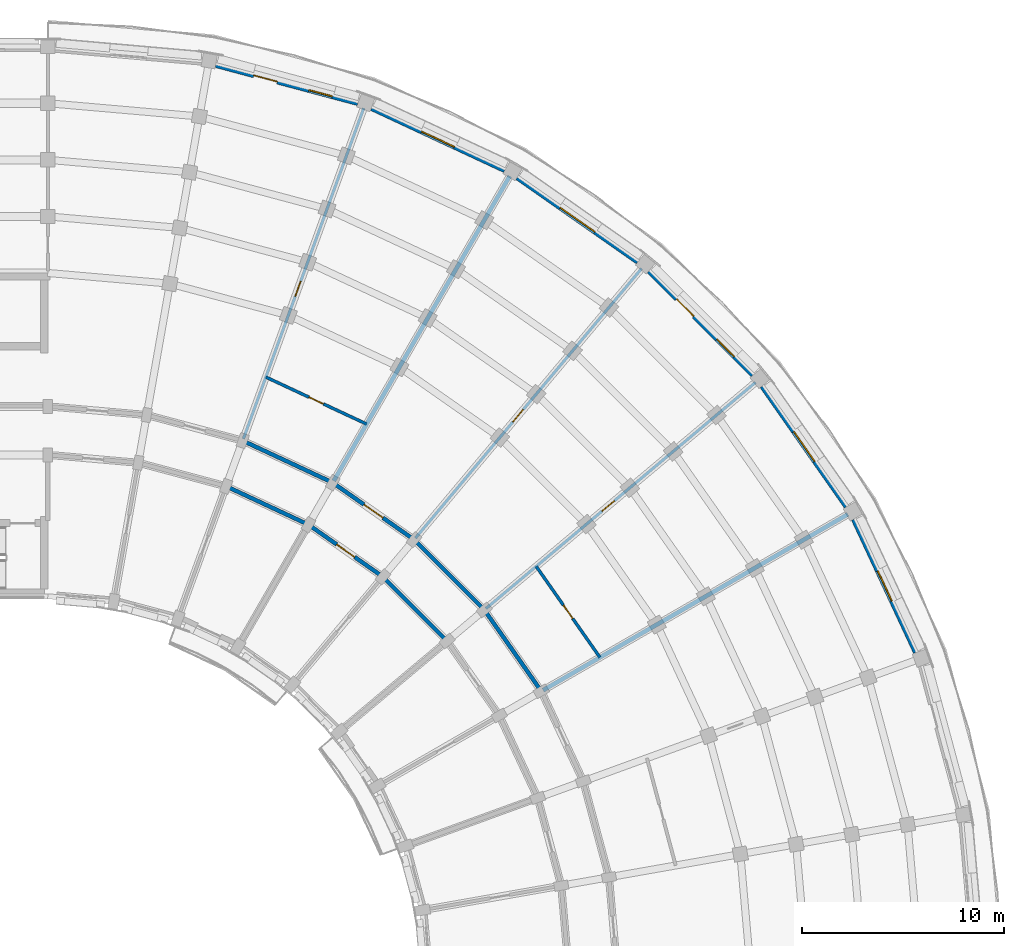
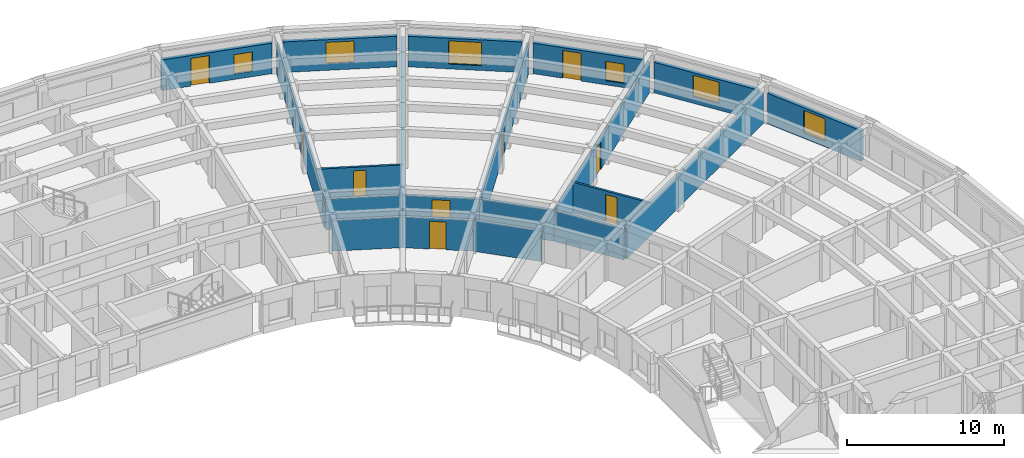
# One storey, part 37 of 57: 20 walls, 9 doors, 6 windows, 15 openings.
"""IFC4 building model written with IfcOpenShell, lengths in metres."""

from ifc_helpers import new_model, si_unit, direction, frame, frame_2d, origin, place, context, subcontext, project, spatial, rectangle, extrude, material, layer, layer_set, type_object, element, fill, save


model = new_model("IFC4")

# Units and contexts
model_context = context("Model", 3, precision=1e-05, world=origin(), true_north=direction((0.0, 1.0)))
body_context = subcontext(model_context, "Body", "Model", "MODEL_VIEW")
ifc_project = project(units=[si_unit("LENGTHUNIT", "METRE"), si_unit("AREAUNIT", "SQUARE_METRE"), si_unit("VOLUMEUNIT", "CUBIC_METRE"), si_unit("PLANEANGLEUNIT", "RADIAN"), si_unit("MASSUNIT", "GRAM", prefix="KILO")], contexts=[model_context])

# Site, building, storey
site_placement = place(None, origin())
site = spatial("IfcSite", under=ifc_project, at=site_placement, CompositionType="ELEMENT")
building_placement = place(site_placement, origin())
building = spatial("IfcBuilding", under=site, at=building_placement, Name="Kiranvali Square Residences", CompositionType="ELEMENT")
storey_placement = place(building_placement, frame((0.0, 0.0, 24.449951171875)))
storey = spatial("IfcBuildingStorey", under=building, at=storey_placement, Name="L07", CompositionType="ELEMENT", Elevation=24.449951171875)

# Walls
ifc_material_1 = material(Name="Autoclaved aerated concrete blockwork masonry", Category="masonry")
ifc_layer_1 = layer(ifc_material_1, 0.199951171875)
ifc_layer_set_1 = layer_set([ifc_layer_1], Name="Autoclaved aerated concrete blockwork masonry")
wall_type_1 = type_object("IfcWallType", Name="WL-COR-200", PredefinedType="STANDARD", material=ifc_layer_set_1)
wall_1_placement = place(storey_placement, frame((128.6240234375, 112.044189453125, 0.0), z_axis=(0.0, 0.0, 1.0), x_axis=(0.906307919131, -0.422617978463, 0.0)))
element("IfcWall", 1, at=wall_1_placement, inside=storey, type_object=wall_type_1, Name="L07 architectural wall WL-L07-B-CCI-2", PredefinedType="STANDARD", context=body_context, shape_type="SweptSolid", body=[
    extrude(rectangle(XDim=4.497314453125, YDim=0.199951171875, at=frame_2d((2.24853515625, 0.0))), origin(), (0.0, 0.0, 1.0), 2.3720703125),
])
wall_2_placement = place(storey_placement, frame((129.445068359375, 114.29931640625, 0.0), z_axis=(0.0, 0.0, 1.0), x_axis=(0.906302381024, -0.422629854778, 0.0)))
element("IfcWall", 2, at=wall_2_placement, inside=storey, type_object=wall_type_1, Name="L07 architectural wall WL-L07-B-CCO-2", PredefinedType="STANDARD", context=body_context, shape_type="SweptSolid", body=[
    extrude(rectangle(XDim=4.915283203125, YDim=0.199951171875, at=frame_2d((2.45751953125, 0.0))), origin(), (0.0, 0.0, 1.0), 2.3720703125),
])

# Wall, opening, door
wall_3_placement = place(storey_placement, frame((132.699951171875, 110.1435546875, 0.0), z_axis=(0.0, 0.0, 1.0), x_axis=(0.819155404658, -0.573571637217, 0.0)))
wall_3 = element("IfcWall", 3, at=wall_3_placement, inside=storey, type_object=wall_type_1, Name="L07 architectural wall WL-L07-B-CCI-3", PredefinedType="STANDARD", context=body_context, shape_type="SweptSolid", body=[
    extrude(rectangle(XDim=4.497314453125, YDim=0.199951171875, at=frame_2d((2.24853515625, 0.0))), origin(), (0.0, 0.0, 1.0), 2.3720703125),
])
opening_1_placement = place(wall_3_placement, frame((1.708740234375, 0.0, 0.0)))
opening_1 = element("IfcOpeningElement", 4, at=opening_1_placement, cuts=wall_3, Name="Opening FD-APT-60C", PredefinedType="OPENING", context=body_context, shape_type="SweptSolid", body=[
    extrude(rectangle(XDim=1.080078125, YDim=2.14990234375, at=frame_2d((0.5400390625, 1.074951171875))), frame((0.0, 0.10986328125, 0.0), z_axis=(0.0, -1.0, 0.0), x_axis=(1.0, 0.0, 0.0)), (0.0, 0.0, 1.0), 0.219970703125),
])
ifc_material_2 = material(Name="Fire-rated acoustic hardwood and mineral-core door assembly", Category="wood")
door_type_1 = type_object("IfcDoorType", Name="DR-APT-1080", OperationType="NOTDEFINED", PredefinedType="DOOR", material=ifc_material_2)
door_1_placement = place(opening_1_placement, frame((1.080078125, 0.0, 0.0), z_axis=(0.0, 0.0, 1.0), x_axis=(-1.0, 0.0, 0.0)))
door_1 = element("IfcDoor", 5, at=door_1_placement, inside=storey, type_object=door_type_1, Name="L07 door DR-L07-1432 (DR-APT-1080)", OperationType="SINGLE_SWING_RIGHT", OverallHeight=2.14990234375, OverallWidth=1.080078125, PredefinedType="DOOR", context=body_context, shape_type="SweptSolid", body=[
    extrude(rectangle(XDim=1.080078125, YDim=2.14990234375, at=frame_2d((0.5400390625, 1.074951171875))), frame((0.0, 0.02490234375, 0.0), z_axis=(0.0, -1.0, 0.0), x_axis=(1.0, 0.0, 0.0)), (0.0, 0.0, 1.0), 0.050048828125),
])
fill(opening_1, door_1)

wall_4_placement = place(storey_placement, frame((133.89990234375, 112.221923828125, 0.0), z_axis=(0.0, 0.0, 1.0), x_axis=(0.819140911474, -0.573592335331, 0.0)))
wall_4 = element("IfcWall", 6, at=wall_4_placement, inside=storey, type_object=wall_type_1, Name="L07 architectural wall WL-L07-B-CCO-3", PredefinedType="STANDARD", context=body_context, shape_type="SweptSolid", body=[
    extrude(rectangle(XDim=4.915771484375, YDim=0.199951171875, at=frame_2d((2.4580078125, 0.0))), origin(), (0.0, 0.0, 1.0), 2.3720703125),
])
opening_2_placement = place(wall_4_placement, frame((1.8876953125, 0.0, 0.0)))
opening_2 = element("IfcOpeningElement", 7, at=opening_2_placement, cuts=wall_4, Name="Opening FD-APT-60D", PredefinedType="OPENING", context=body_context, shape_type="SweptSolid", body=[
    extrude(rectangle(XDim=1.139892578125, YDim=2.14990234375, at=frame_2d((0.56982421875, 1.074951171875))), frame((0.0, 0.10986328125, 0.0), z_axis=(0.0, -1.0, 0.0), x_axis=(1.0, 0.0, 0.0)), (0.0, 0.0, 1.0), 0.219970703125),
])
door_type_2 = type_object("IfcDoorType", Name="DR-APT-1140", OperationType="NOTDEFINED", PredefinedType="DOOR", material=ifc_material_2)
door_2_placement = place(opening_2_placement, frame((1.139892578125, 0.0, 0.0), z_axis=(0.0, 0.0, 1.0), x_axis=(-1.0, 0.0, 0.0)))
door_2 = element("IfcDoor", 8, at=door_2_placement, inside=storey, type_object=door_type_2, Name="L07 door DR-L07-1426 (DR-APT-1140)", OperationType="SINGLE_SWING_RIGHT", OverallHeight=2.14990234375, OverallWidth=1.139892578125, PredefinedType="DOOR", context=body_context, shape_type="SweptSolid", body=[
    extrude(rectangle(XDim=1.139892578125, YDim=2.14990234375, at=frame_2d((0.56982421875, 1.074951171875))), frame((0.0, 0.02490234375, 0.0), z_axis=(0.0, -1.0, 0.0), x_axis=(1.0, 0.0, 0.0)), (0.0, 0.0, 1.0), 0.050048828125),
])
fill(opening_2, door_2)

# Walls
wall_5_placement = place(storey_placement, frame((136.384033203125, 107.56396484375, 0.0), z_axis=(0.0, 0.0, 1.0), x_axis=(0.707106781187, -0.707106781187, 0.0)))
element("IfcWall", 9, at=wall_5_placement, inside=storey, type_object=wall_type_1, Name="L07 architectural wall WL-L07-B-CCI-4", PredefinedType="STANDARD", context=body_context, shape_type="SweptSolid", body=[
    extrude(rectangle(XDim=4.4970703125, YDim=0.199951171875, at=frame_2d((2.24853515625, 0.0))), origin(), (0.0, 0.0, 1.0), 2.3720703125),
])
wall_6_placement = place(storey_placement, frame((137.926513671875, 109.40234375, 0.0), z_axis=(0.0, 0.0, 1.0), x_axis=(0.707106781187, -0.707106781187, 0.0)))
element("IfcWall", 10, at=wall_6_placement, inside=storey, type_object=wall_type_1, Name="L07 architectural wall WL-L07-B-CCO-4", PredefinedType="STANDARD", context=body_context, shape_type="SweptSolid", body=[
    extrude(rectangle(XDim=4.91552734375, YDim=0.199951171875, at=frame_2d((2.457763671875, 0.0))), origin(), (0.0, 0.0, 1.0), 2.3720703125),
])
wall_7_placement = place(storey_placement, frame((141.40234375, 105.926513671875, 0.0), z_axis=(0.0, 0.0, 1.0), x_axis=(0.573592335331, -0.819140911474, 0.0)))
element("IfcWall", 11, at=wall_7_placement, inside=storey, type_object=wall_type_1, Name="L07 architectural wall WL-L07-B-CCO-5", PredefinedType="STANDARD", context=body_context, shape_type="SweptSolid", body=[
    extrude(rectangle(XDim=4.915771484375, YDim=0.199951171875, at=frame_2d((2.4580078125, 0.0))), origin(), (0.0, 0.0, 1.0), 2.3720703125),
])
ifc_layer_2 = layer(ifc_material_1, 0.219970703125)
ifc_layer_set_2 = layer_set([ifc_layer_2], Name="Autoclaved aerated concrete blockwork masonry")
wall_type_2 = type_object("IfcWallType", Name="WL-DEM-220", PredefinedType="STANDARD", material=ifc_layer_set_2)
for number, where, z_axis, x_axis, name in (
    (12, (133.949951171875, 112.30859375, 0.0), (0.0, 0.0, 1.0), (0.499997843263, 0.866026648973, 0.0), "L07 architectural wall WL-L07-B-RADO-3"),
    (13, (144.30859375, 101.949951171875, 0.0), (0.0, 0.0, 1.0), (0.866026648973, 0.499997843263, 0.0), "L07 architectural wall WL-L07-B-RADO-6"),
):
    element("IfcWall", number, at=place(storey_placement, frame(where, z_axis=z_axis, x_axis=x_axis)), inside=storey, type_object=wall_type_2, Name=name, PredefinedType="STANDARD", context=body_context, shape_type="SweptSolid", body=[
        extrude(rectangle(XDim=17.419921875, YDim=0.219970703125, at=frame_2d((8.7099609375, 0.0))), origin(), (0.0, 0.0, 1.0), 2.3720703125),
    ])

# Wall, openings, door, window
ifc_material_3 = material(Name="Breathable lime-rendered clay brick masonry", Category="masonry")
ifc_layer_3 = layer(ifc_material_3, 0.25)
ifc_layer_set_3 = layer_set([ifc_layer_3], Name="Breathable lime-rendered clay brick masonry")
wall_type_3 = type_object("IfcWallType", Name="WL-EXT-250", PredefinedType="STANDARD", material=ifc_layer_set_3)
wall_8_placement = place(storey_placement, frame((128.118408203125, 132.883056640625, 0.0), z_axis=(0.0, 0.0, 1.0), x_axis=(0.965930355787, -0.258802140196, 0.0)))
wall_8 = element("IfcWall", 14, at=wall_8_placement, inside=storey, type_object=wall_type_3, Name="L07 exterior wall B-L07-CRV-01", PredefinedType="STANDARD", context=body_context, shape_type="SweptSolid", body=[
    extrude(rectangle(XDim=7.2666015625, YDim=0.25, at=frame_2d((3.63330078125, 0.0))), origin(), (0.0, 0.0, 1.0), 2.3720703125),
])
opening_3_placement = place(wall_8_placement, frame((4.765625, 0.0, 0.422119140625)))
opening_3 = element("IfcOpeningElement", 15, at=opening_3_placement, cuts=wall_8, Name="Opening W-06", PredefinedType="OPENING", context=body_context, shape_type="SweptSolid", body=[
    extrude(rectangle(XDim=1.199951171875, YDim=1.5, at=frame_2d((0.60009765625, 0.75))), frame((0.0, 0.135009765625, 0.0), z_axis=(0.0, -1.0, 0.0), x_axis=(1.0, 0.0, 0.0)), (0.0, 0.0, 1.0), 0.27001953125),
])
opening_4_placement = place(wall_8_placement, frame((1.943359375, 0.0, 0.0)))
opening_4 = element("IfcOpeningElement", 16, at=opening_4_placement, cuts=wall_8, Name="Opening ED-BAL-1", PredefinedType="OPENING", context=body_context, shape_type="SweptSolid", body=[
    extrude(rectangle(XDim=1.199951171875, YDim=2.14990234375, at=frame_2d((0.60009765625, 1.074951171875))), frame((0.0, 0.135009765625, 0.0), z_axis=(0.0, -1.0, 0.0), x_axis=(1.0, 0.0, 0.0)), (0.0, 0.0, 1.0), 0.27001953125),
])
ifc_material_4 = material(Name="Anodised bronze aluminium framing", Category="aluminium")
door_type_3 = type_object("IfcDoorType", Name="DR-BAL-1200", OperationType="NOTDEFINED", PredefinedType="DOOR", material=ifc_material_4)
door_3_placement = place(opening_4_placement, origin())
door_3 = element("IfcDoor", 17, at=door_3_placement, inside=storey, type_object=door_type_3, Name="L07 balcony terrace door", OperationType="SINGLE_SWING_RIGHT", OverallHeight=2.14990234375, OverallWidth=1.199951171875, PredefinedType="DOOR", context=body_context, shape_type="SweptSolid", body=[
    extrude(rectangle(XDim=1.199951171875, YDim=2.14990234375, at=frame_2d((0.60009765625, 1.074951171875))), frame((0.0, 0.02490234375, 0.0), z_axis=(0.0, -1.0, 0.0), x_axis=(1.0, 0.0, 0.0)), (0.0, 0.0, 1.0), 0.050048828125),
])
fill(opening_4, door_3)
ifc_material_5 = material(Name="Solar-control low-e double glazing", Category="glass")
window_type_1 = type_object("IfcWindowType", Name="WIN-RES-1200x1500", PartitioningType="SINGLE_PANEL", PredefinedType="WINDOW", material=ifc_material_5)
window_1_placement = place(opening_3_placement, origin())
window_1 = element("IfcWindow", 18, at=window_1_placement, inside=storey, type_object=window_type_1, Name="L07 recessed window B-L07-CRV-01", OverallHeight=1.5, OverallWidth=1.199951171875, PartitioningType="SINGLE_PANEL", PredefinedType="WINDOW", context=body_context, shape_type="SweptSolid", body=[
    extrude(rectangle(XDim=1.199951171875, YDim=1.5, at=frame_2d((0.60009765625, 0.75))), frame((0.0, 0.030029296875, 0.0), z_axis=(0.0, -1.0, 0.0), x_axis=(1.0, 0.0, 0.0)), (0.0, 0.0, 1.0), 0.06005859375),
])
fill(opening_3, window_1)

# Wall, opening, window
wall_9_placement = place(storey_placement, frame((135.82080078125, 130.753662109375, 0.0), z_axis=(0.0, 0.0, 1.0), x_axis=(0.90630327107, -0.422627946127, 0.0)))
wall_9 = element("IfcWall", 19, at=wall_9_placement, inside=storey, type_object=wall_type_3, Name="L07 exterior wall B-L07-CRV-02", PredefinedType="STANDARD", context=body_context, shape_type="SweptSolid", body=[
    extrude(rectangle(XDim=7.2666015625, YDim=0.25, at=frame_2d((3.63330078125, 0.0))), origin(), (0.0, 0.0, 1.0), 2.3720703125),
])
opening_5_placement = place(wall_9_placement, frame((2.7333984375, 0.0, 0.52197265625)))
opening_5 = element("IfcOpeningElement", 20, at=opening_5_placement, cuts=wall_9, Name="Opening W-04", PredefinedType="OPENING", context=body_context, shape_type="SweptSolid", body=[
    extrude(rectangle(XDim=1.800048828125, YDim=1.64990234375, at=frame_2d((0.89990234375, 0.824951171875))), frame((0.0, 0.135009765625, 0.0), z_axis=(0.0, -1.0, 0.0), x_axis=(1.0, 0.0, 0.0)), (0.0, 0.0, 1.0), 0.27001953125),
])
window_type_2 = type_object("IfcWindowType", Name="WIN-RES-1800x1650", PartitioningType="DOUBLE_PANEL_VERTICAL", PredefinedType="WINDOW", material=ifc_material_5)
window_2_placement = place(opening_5_placement, origin())
window_2 = element("IfcWindow", 21, at=window_2_placement, inside=storey, type_object=window_type_2, Name="L07 recessed window B-L07-CRV-02", OverallHeight=1.64990234375, OverallWidth=1.800048828125, PartitioningType="DOUBLE_PANEL_VERTICAL", PredefinedType="WINDOW", context=body_context, shape_type="SweptSolid", body=[
    extrude(rectangle(XDim=1.800048828125, YDim=1.64990234375, at=frame_2d((0.89990234375, 0.824951171875))), frame((0.0, 0.030029296875, 0.0), z_axis=(0.0, -1.0, 0.0), x_axis=(1.0, 0.0, 0.0)), (0.0, 0.0, 1.0), 0.06005859375),
])
fill(opening_5, window_2)

wall_10_placement = place(storey_placement, frame((143.0361328125, 127.319091796875, 0.0), z_axis=(0.0, 0.0, 1.0), x_axis=(0.819159308599, -0.573566061701, 0.0)))
wall_10 = element("IfcWall", 22, at=wall_10_placement, inside=storey, type_object=wall_type_3, Name="L07 exterior wall B-L07-CRV-03", PredefinedType="STANDARD", context=body_context, shape_type="SweptSolid", body=[
    extrude(rectangle(XDim=7.266845703125, YDim=0.25, at=frame_2d((3.63330078125, 0.0))), origin(), (0.0, 0.0, 1.0), 2.3720703125),
])
opening_6_placement = place(wall_10_placement, frame((2.583251953125, 0.0, 0.3720703125)))
opening_6 = element("IfcOpeningElement", 23, at=opening_6_placement, cuts=wall_10, Name="Opening W-03", PredefinedType="OPENING", context=body_context, shape_type="SweptSolid", body=[
    extrude(rectangle(XDim=2.10009765625, YDim=1.800048828125, at=frame_2d((1.050048828125, 0.89990234375))), frame((0.0, 0.135009765625, 0.0), z_axis=(0.0, -1.0, 0.0), x_axis=(1.0, 0.0, 0.0)), (0.0, 0.0, 1.0), 0.27001953125),
])
window_type_3 = type_object("IfcWindowType", Name="WIN-RES-2100x1800", PartitioningType="TRIPLE_PANEL_VERTICAL", PredefinedType="WINDOW", material=ifc_material_5)
window_3_placement = place(opening_6_placement, origin())
window_3 = element("IfcWindow", 24, at=window_3_placement, inside=storey, type_object=window_type_3, Name="L07 recessed window B-L07-CRV-03", OverallHeight=1.800048828125, OverallWidth=2.10009765625, PartitioningType="TRIPLE_PANEL_VERTICAL", PredefinedType="WINDOW", context=body_context, shape_type="SweptSolid", body=[
    extrude(rectangle(XDim=2.10009765625, YDim=1.800048828125, at=frame_2d((1.050048828125, 0.89990234375))), frame((0.0, 0.030029296875, 0.0), z_axis=(0.0, -1.0, 0.0), x_axis=(1.0, 0.0, 0.0)), (0.0, 0.0, 1.0), 0.06005859375),
])
fill(opening_6, window_3)

# Wall, openings, door, window
wall_11_placement = place(storey_placement, frame((149.545654296875, 122.683837890625, 0.0), z_axis=(0.0, 0.0, 1.0), x_axis=(0.707106781187, -0.707106781187, 0.0)))
wall_11 = element("IfcWall", 25, at=wall_11_placement, inside=storey, type_object=wall_type_3, Name="L07 exterior wall B-L07-CRV-04", PredefinedType="STANDARD", context=body_context, shape_type="SweptSolid", body=[
    extrude(rectangle(XDim=7.2666015625, YDim=0.25, at=frame_2d((3.63330078125, 0.0))), origin(), (0.0, 0.0, 1.0), 2.3720703125),
])
opening_7_placement = place(wall_11_placement, frame((4.765625, 0.0, 0.322021484375)))
opening_7 = element("IfcOpeningElement", 26, at=opening_7_placement, cuts=wall_11, Name="Opening W-06", PredefinedType="OPENING", context=body_context, shape_type="SweptSolid", body=[
    extrude(rectangle(XDim=1.199951171875, YDim=1.5, at=frame_2d((0.60009765625, 0.75))), frame((0.0, 0.135009765625, 0.0), z_axis=(0.0, -1.0, 0.0), x_axis=(1.0, 0.0, 0.0)), (0.0, 0.0, 1.0), 0.27001953125),
])
opening_8_placement = place(wall_11_placement, frame((1.943359375, 0.0, 0.0)))
opening_8 = element("IfcOpeningElement", 27, at=opening_8_placement, cuts=wall_11, Name="Opening ED-BAL-1", PredefinedType="OPENING", context=body_context, shape_type="SweptSolid", body=[
    extrude(rectangle(XDim=1.199951171875, YDim=2.14990234375, at=frame_2d((0.60009765625, 1.074951171875))), frame((0.0, 0.135009765625, 0.0), z_axis=(0.0, -1.0, 0.0), x_axis=(1.0, 0.0, 0.0)), (0.0, 0.0, 1.0), 0.27001953125),
])
door_4_placement = place(opening_8_placement, origin())
door_4 = element("IfcDoor", 28, at=door_4_placement, inside=storey, type_object=door_type_3, Name="L07 balcony terrace door", OperationType="SINGLE_SWING_LEFT", OverallHeight=2.14990234375, OverallWidth=1.199951171875, PredefinedType="DOOR", context=body_context, shape_type="SweptSolid", body=[
    extrude(rectangle(XDim=1.199951171875, YDim=2.14990234375, at=frame_2d((0.60009765625, 1.074951171875))), frame((0.0, 0.02490234375, 0.0), z_axis=(0.0, -1.0, 0.0), x_axis=(1.0, 0.0, 0.0)), (0.0, 0.0, 1.0), 0.050048828125),
])
fill(opening_8, door_4)
window_4_placement = place(opening_7_placement, origin())
window_4 = element("IfcWindow", 29, at=window_4_placement, inside=storey, type_object=window_type_1, Name="L07 recessed window B-L07-CRV-04", OverallHeight=1.5, OverallWidth=1.199951171875, PartitioningType="SINGLE_PANEL", PredefinedType="WINDOW", context=body_context, shape_type="SweptSolid", body=[
    extrude(rectangle(XDim=1.199951171875, YDim=1.5, at=frame_2d((0.60009765625, 0.75))), frame((0.0, 0.030029296875, 0.0), z_axis=(0.0, -1.0, 0.0), x_axis=(1.0, 0.0, 0.0)), (0.0, 0.0, 1.0), 0.06005859375),
])
fill(opening_7, window_4)

# Wall, opening, window
wall_12_placement = place(storey_placement, frame((155.151123046875, 116.98876953125, 0.0), z_axis=(0.0, 0.0, 1.0), x_axis=(0.573566061701, -0.819159308599, 0.0)))
wall_12 = element("IfcWall", 30, at=wall_12_placement, inside=storey, type_object=wall_type_3, Name="L07 exterior wall B-L07-CRV-05", PredefinedType="STANDARD", context=body_context, shape_type="SweptSolid", body=[
    extrude(rectangle(XDim=7.266845703125, YDim=0.25, at=frame_2d((3.63330078125, 0.0))), origin(), (0.0, 0.0, 1.0), 2.3720703125),
])
opening_9_placement = place(wall_12_placement, frame((2.7333984375, 0.0, 0.52197265625)))
opening_9 = element("IfcOpeningElement", 31, at=opening_9_placement, cuts=wall_12, Name="Opening W-04", PredefinedType="OPENING", context=body_context, shape_type="SweptSolid", body=[
    extrude(rectangle(XDim=1.800048828125, YDim=1.64990234375, at=frame_2d((0.89990234375, 0.824951171875))), frame((0.0, 0.135009765625, 0.0), z_axis=(0.0, -1.0, 0.0), x_axis=(1.0, 0.0, 0.0)), (0.0, 0.0, 1.0), 0.27001953125),
])
window_5_placement = place(opening_9_placement, origin())
window_5 = element("IfcWindow", 32, at=window_5_placement, inside=storey, type_object=window_type_2, Name="L07 recessed window B-L07-CRV-05", OverallHeight=1.64990234375, OverallWidth=1.800048828125, PartitioningType="DOUBLE_PANEL_VERTICAL", PredefinedType="WINDOW", context=body_context, shape_type="SweptSolid", body=[
    extrude(rectangle(XDim=1.800048828125, YDim=1.64990234375, at=frame_2d((0.89990234375, 0.824951171875))), frame((0.0, 0.030029296875, 0.0), z_axis=(0.0, -1.0, 0.0), x_axis=(1.0, 0.0, 0.0)), (0.0, 0.0, 1.0), 0.06005859375),
])
fill(opening_9, window_5)

wall_13_placement = place(storey_placement, frame((159.6826171875, 110.406494140625, 0.0), z_axis=(0.0, 0.0, 1.0), x_axis=(0.422627946127, -0.90630327107, 0.0)))
wall_13 = element("IfcWall", 33, at=wall_13_placement, inside=storey, type_object=wall_type_3, Name="L07 exterior wall B-L07-CRV-06", PredefinedType="STANDARD", context=body_context, shape_type="SweptSolid", body=[
    extrude(rectangle(XDim=7.2666015625, YDim=0.25, at=frame_2d((3.63330078125, 0.0))), origin(), (0.0, 0.0, 1.0), 2.3720703125),
])
opening_10_placement = place(wall_13_placement, frame((2.808349609375, 0.0, 0.422119140625)))
opening_10 = element("IfcOpeningElement", 34, at=opening_10_placement, cuts=wall_13, Name="Opening W-13", PredefinedType="OPENING", context=body_context, shape_type="SweptSolid", body=[
    extrude(rectangle(XDim=1.64990234375, YDim=1.75, at=frame_2d((0.824951171875, 0.875))), frame((0.0, 0.135009765625, 0.0), z_axis=(0.0, -1.0, 0.0), x_axis=(1.0, 0.0, 0.0)), (0.0, 0.0, 1.0), 0.27001953125),
])
window_type_4 = type_object("IfcWindowType", Name="WIN-RES-1650x1750", PartitioningType="DOUBLE_PANEL_VERTICAL", PredefinedType="WINDOW", material=ifc_material_5)
window_6_placement = place(opening_10_placement, origin())
window_6 = element("IfcWindow", 35, at=window_6_placement, inside=storey, type_object=window_type_4, Name="L07 recessed window B-L07-CRV-06", OverallHeight=1.75, OverallWidth=1.64990234375, PartitioningType="DOUBLE_PANEL_VERTICAL", PredefinedType="WINDOW", context=body_context, shape_type="SweptSolid", body=[
    extrude(rectangle(XDim=1.64990234375, YDim=1.75, at=frame_2d((0.824951171875, 0.875))), frame((0.0, 0.030029296875, 0.0), z_axis=(0.0, -1.0, 0.0), x_axis=(1.0, 0.0, 0.0)), (0.0, 0.0, 1.0), 0.06005859375),
])
fill(opening_10, window_6)

# Wall, opening, door
ifc_material_6 = material(Name="Acoustic gypsum board drylined partition", Category="gypsum")
ifc_layer_4 = layer(ifc_material_6, 0.14990234375)
ifc_layer_set_4 = layer_set([ifc_layer_4], Name="Acoustic gypsum board drylined partition")
wall_type_4 = type_object("IfcWallType", Name="WL-PRT-150", PredefinedType="PARTITIONING", material=ifc_layer_set_4)
wall_14_placement = place(storey_placement, frame((129.479248046875, 114.393310546875, 0.0), z_axis=(0.0, 0.0, 1.0), x_axis=(0.342022120477, 0.939691901159, 0.0)))
wall_14 = element("IfcWall", 36, at=wall_14_placement, inside=storey, type_object=wall_type_4, Name="L07 architectural wall WL-L07-B-RADO-2", PredefinedType="PARTITIONING", context=body_context, shape_type="SweptSolid", body=[
    extrude(rectangle(XDim=17.419921875, YDim=0.14990234375, at=frame_2d((8.7099609375, 0.0))), origin(), (0.0, 0.0, 1.0), 2.3720703125),
])
opening_11_placement = place(wall_14_placement, frame((7.5, 0.0, 0.0)))
opening_11 = element("IfcOpeningElement", 37, at=opening_11_placement, cuts=wall_14, Name="Opening ID-WET", PredefinedType="OPENING", context=body_context, shape_type="SweptSolid", body=[
    extrude(rectangle(XDim=0.800048828125, YDim=2.10009765625, at=frame_2d((0.39990234375, 1.050048828125))), frame((0.0, 0.0849609375, 0.0), z_axis=(0.0, -1.0, 0.0), x_axis=(1.0, 0.0, 0.0)), (0.0, 0.0, 1.0), 0.169921875),
])
ifc_material_7 = material(Name="Solid seasoned teak hardwood joinery", Category="wood")
door_type_4 = type_object("IfcDoorType", Name="DR-WET-800", OperationType="NOTDEFINED", PredefinedType="DOOR", material=ifc_material_7)
door_5_placement = place(opening_11_placement, frame((0.800048828125, 0.0, 0.0), z_axis=(0.0, 0.0, 1.0), x_axis=(-1.0, 0.0, 0.0)))
door_5 = element("IfcDoor", 38, at=door_5_placement, inside=storey, type_object=door_type_4, Name="L07 door DR-L07-1416 (DR-WET-800)", OperationType="SINGLE_SWING_RIGHT", OverallHeight=2.10009765625, OverallWidth=0.800048828125, PredefinedType="DOOR", context=body_context, shape_type="SweptSolid", body=[
    extrude(rectangle(XDim=0.800048828125, YDim=2.10009765625, at=frame_2d((0.39990234375, 1.050048828125))), frame((0.0, 0.02490234375, 0.0), z_axis=(0.0, -1.0, 0.0), x_axis=(1.0, 0.0, 0.0)), (0.0, 0.0, 1.0), 0.050048828125),
])
fill(opening_11, door_5)

wall_15_placement = place(storey_placement, frame((137.990966796875, 109.47900390625, 0.0), z_axis=(0.0, 0.0, 1.0), x_axis=(0.642784757967, 0.766046835987, 0.0)))
wall_15 = element("IfcWall", 39, at=wall_15_placement, inside=storey, type_object=wall_type_4, Name="L07 architectural wall WL-L07-B-RADO-4", PredefinedType="PARTITIONING", context=body_context, shape_type="SweptSolid", body=[
    extrude(rectangle(XDim=17.419921875, YDim=0.14990234375, at=frame_2d((8.7099609375, 0.0))), origin(), (0.0, 0.0, 1.0), 2.3720703125),
])
opening_12_placement = place(wall_15_placement, frame((7.5, 0.0, 0.0)))
opening_12 = element("IfcOpeningElement", 40, at=opening_12_placement, cuts=wall_15, Name="Opening ID-WET", PredefinedType="OPENING", context=body_context, shape_type="SweptSolid", body=[
    extrude(rectangle(XDim=0.800048828125, YDim=2.10009765625, at=frame_2d((0.39990234375, 1.050048828125))), frame((0.0, 0.0849609375, 0.0), z_axis=(0.0, -1.0, 0.0), x_axis=(1.0, 0.0, 0.0)), (0.0, 0.0, 1.0), 0.169921875),
])
door_6_placement = place(opening_12_placement, frame((0.800048828125, 0.0, 0.0), z_axis=(0.0, 0.0, 1.0), x_axis=(-1.0, 0.0, 0.0)))
door_6 = element("IfcDoor", 41, at=door_6_placement, inside=storey, type_object=door_type_4, Name="L07 door DR-L07-1418 (DR-WET-800)", OperationType="SINGLE_SWING_RIGHT", OverallHeight=2.10009765625, OverallWidth=0.800048828125, PredefinedType="DOOR", context=body_context, shape_type="SweptSolid", body=[
    extrude(rectangle(XDim=0.800048828125, YDim=2.10009765625, at=frame_2d((0.39990234375, 1.050048828125))), frame((0.0, 0.02490234375, 0.0), z_axis=(0.0, -1.0, 0.0), x_axis=(1.0, 0.0, 0.0)), (0.0, 0.0, 1.0), 0.050048828125),
])
fill(opening_12, door_6)

wall_16_placement = place(storey_placement, frame((141.47900390625, 105.990966796875, 0.0), z_axis=(0.0, 0.0, 1.0), x_axis=(0.766046835987, 0.642784757967, 0.0)))
wall_16 = element("IfcWall", 42, at=wall_16_placement, inside=storey, type_object=wall_type_4, Name="L07 architectural wall WL-L07-B-RADO-5", PredefinedType="PARTITIONING", context=body_context, shape_type="SweptSolid", body=[
    extrude(rectangle(XDim=17.419921875, YDim=0.14990234375, at=frame_2d((8.7099609375, 0.0))), origin(), (0.0, 0.0, 1.0), 2.3720703125),
])
opening_13_placement = place(wall_16_placement, frame((7.5, 0.0, 0.0)))
opening_13 = element("IfcOpeningElement", 43, at=opening_13_placement, cuts=wall_16, Name="Opening ID-WET", PredefinedType="OPENING", context=body_context, shape_type="SweptSolid", body=[
    extrude(rectangle(XDim=0.800048828125, YDim=2.10009765625, at=frame_2d((0.39990234375, 1.050048828125))), frame((0.0, 0.0849609375, 0.0), z_axis=(0.0, -1.0, 0.0), x_axis=(1.0, 0.0, 0.0)), (0.0, 0.0, 1.0), 0.169921875),
])
door_7_placement = place(opening_13_placement, origin())
door_7 = element("IfcDoor", 44, at=door_7_placement, inside=storey, type_object=door_type_4, Name="L07 door DR-L07-1419 (DR-WET-800)", OperationType="SINGLE_SWING_LEFT", OverallHeight=2.10009765625, OverallWidth=0.800048828125, PredefinedType="DOOR", context=body_context, shape_type="SweptSolid", body=[
    extrude(rectangle(XDim=0.800048828125, YDim=2.10009765625, at=frame_2d((0.39990234375, 1.050048828125))), frame((0.0, 0.02490234375, 0.0), z_axis=(0.0, -1.0, 0.0), x_axis=(1.0, 0.0, 0.0)), (0.0, 0.0, 1.0), 0.050048828125),
])
fill(opening_13, door_7)

ifc_layer_5 = layer(ifc_material_1, 0.14990234375)
ifc_layer_set_5 = layer_set([ifc_layer_5], Name="Autoclaved aerated concrete blockwork masonry")
wall_type_5 = type_object("IfcWallType", Name="WL-WET-150", PredefinedType="PLUMBINGWALL", material=ifc_layer_set_5)
wall_17_placement = place(storey_placement, frame((130.5908203125, 117.447265625, 0.0), z_axis=(0.0, 0.0, 1.0), x_axis=(0.906302189986, -0.422630264446, 0.0)))
wall_17 = element("IfcWall", 45, at=wall_17_placement, inside=storey, type_object=wall_type_5, Name="L07 architectural wall WL-L07-B-CWET-2", PredefinedType="PLUMBINGWALL", context=body_context, shape_type="SweptSolid", body=[
    extrude(rectangle(XDim=5.49951171875, YDim=0.14990234375, at=frame_2d((2.749755859375, 0.0))), origin(), (0.0, 0.0, 1.0), 2.3720703125),
])
opening_14_placement = place(wall_17_placement, frame((2.349853515625, 0.0, 0.0)))
opening_14 = element("IfcOpeningElement", 46, at=opening_14_placement, cuts=wall_17, Name="Opening ID-WET", PredefinedType="OPENING", context=body_context, shape_type="SweptSolid", body=[
    extrude(rectangle(XDim=0.800048828125, YDim=2.10009765625, at=frame_2d((0.39990234375, 1.050048828125))), frame((0.0, 0.0849609375, 0.0), z_axis=(0.0, -1.0, 0.0), x_axis=(1.0, 0.0, 0.0)), (0.0, 0.0, 1.0), 0.169921875),
])
door_8_placement = place(opening_14_placement, origin())
door_8 = element("IfcDoor", 47, at=door_8_placement, inside=storey, type_object=door_type_4, Name="L07 door DR-L07-1425 (DR-WET-800)", OperationType="SINGLE_SWING_LEFT", OverallHeight=2.10009765625, OverallWidth=0.800048828125, PredefinedType="DOOR", context=body_context, shape_type="SweptSolid", body=[
    extrude(rectangle(XDim=0.800048828125, YDim=2.10009765625, at=frame_2d((0.39990234375, 1.050048828125))), frame((0.0, 0.02490234375, 0.0), z_axis=(0.0, -1.0, 0.0), x_axis=(1.0, 0.0, 0.0)), (0.0, 0.0, 1.0), 0.050048828125),
])
fill(opening_14, door_8)

wall_18_placement = place(storey_placement, frame((143.96875, 108.079833984375, 0.0), z_axis=(0.0, 0.0, 1.0), x_axis=(0.573569599955, -0.819156831143, 0.0)))
wall_18 = element("IfcWall", 48, at=wall_18_placement, inside=storey, type_object=wall_type_5, Name="L07 architectural wall WL-L07-B-CWET-5", PredefinedType="PLUMBINGWALL", context=body_context, shape_type="SweptSolid", body=[
    extrude(rectangle(XDim=5.49951171875, YDim=0.14990234375, at=frame_2d((2.749755859375, 0.0))), origin(), (0.0, 0.0, 1.0), 2.3720703125),
])
opening_15_placement = place(wall_18_placement, frame((2.349853515625, 0.0, 0.0)))
opening_15 = element("IfcOpeningElement", 49, at=opening_15_placement, cuts=wall_18, Name="Opening ID-WET", PredefinedType="OPENING", context=body_context, shape_type="SweptSolid", body=[
    extrude(rectangle(XDim=0.800048828125, YDim=2.10009765625, at=frame_2d((0.39990234375, 1.050048828125))), frame((0.0, 0.0849609375, 0.0), z_axis=(0.0, -1.0, 0.0), x_axis=(1.0, 0.0, 0.0)), (0.0, 0.0, 1.0), 0.169921875),
])
door_9_placement = place(opening_15_placement, origin())
door_9 = element("IfcDoor", 50, at=door_9_placement, inside=storey, type_object=door_type_4, Name="L07 door DR-L07-1427 (DR-WET-800)", OperationType="SINGLE_SWING_LEFT", OverallHeight=2.10009765625, OverallWidth=0.800048828125, PredefinedType="DOOR", context=body_context, shape_type="SweptSolid", body=[
    extrude(rectangle(XDim=0.800048828125, YDim=2.10009765625, at=frame_2d((0.39990234375, 1.050048828125))), frame((0.0, 0.02490234375, 0.0), z_axis=(0.0, -1.0, 0.0), x_axis=(1.0, 0.0, 0.0)), (0.0, 0.0, 1.0), 0.050048828125),
])
fill(opening_15, door_9)

save(model, "model.ifc")
